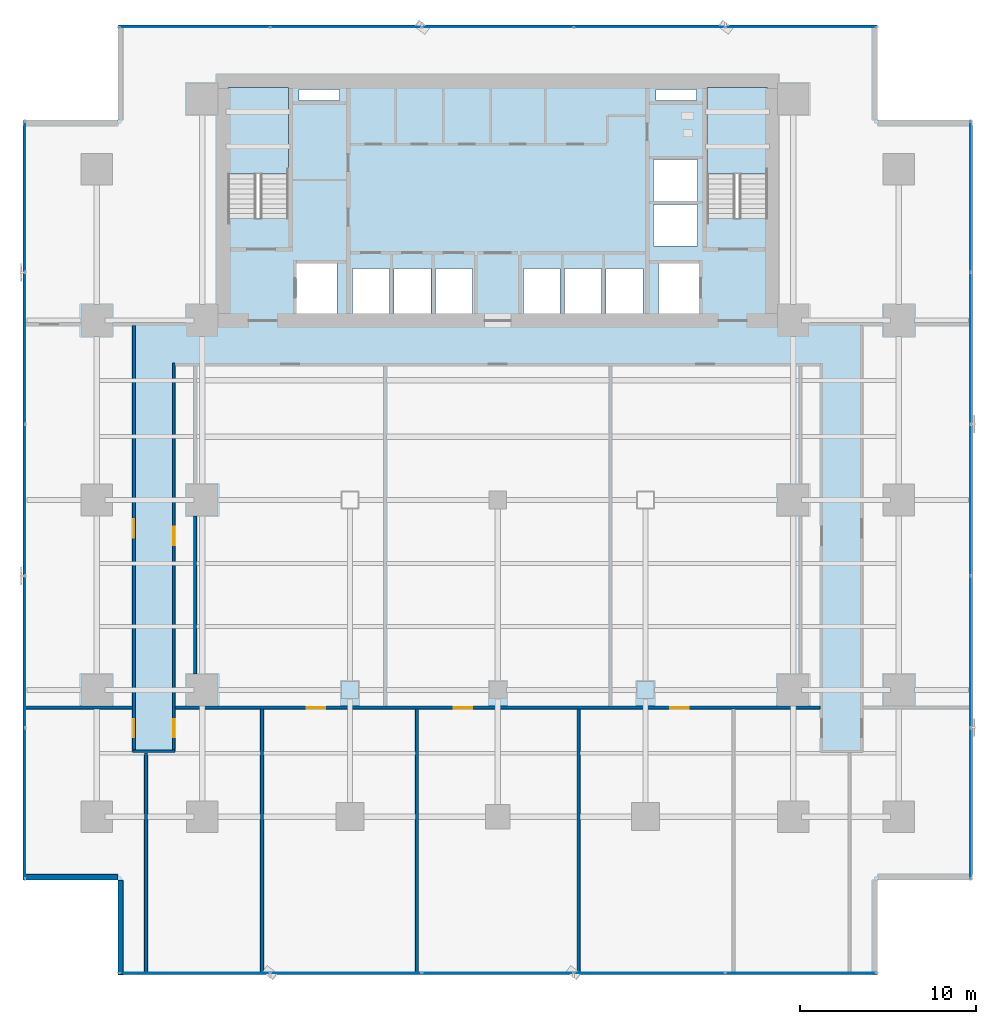
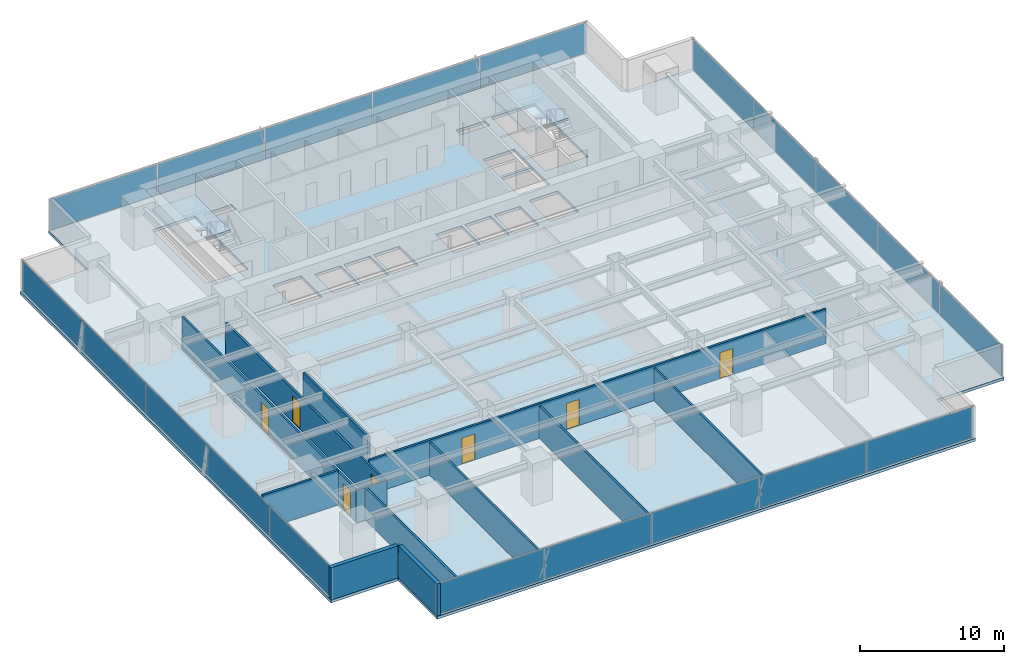
# One storey, part 24 of 33: 20 plates, 12 walls, 7 doors, 3 slabs, 7 openings, 6 elements without a shape of their own.
"""IFC4 building model written with IfcOpenShell, lengths in metres."""

from ifc_helpers import new_model, si_unit, direction, frame, frame_2d, origin, origin_2d, place, context, subcontext, project, spatial, polyline, rectangle, outline, extrude, source, transform, mapped, material, layer, layer_set, type_object, element, fill, aggregate, save


model = new_model("IFC4")

# Units and contexts
model_context = context("Model", 3, precision=1e-05, world=origin(), true_north=direction((0.0, 1.0)))
body_context = subcontext(model_context, "Body", "Model", "MODEL_VIEW")
ifc_project = project(units=[si_unit("LENGTHUNIT", "METRE"), si_unit("AREAUNIT", "SQUARE_METRE"), si_unit("VOLUMEUNIT", "CUBIC_METRE"), si_unit("PLANEANGLEUNIT", "RADIAN"), si_unit("MASSUNIT", "GRAM", prefix="KILO")], contexts=[model_context])

# Site, building, storey
site_placement = place(None, origin())
site = spatial("IfcSite", under=ifc_project, at=site_placement, CompositionType="ELEMENT")
building_placement = place(site_placement, origin())
building = spatial("IfcBuilding", under=site, at=building_placement, Name="Sumidabori Civic Tower", CompositionType="ELEMENT")
storey_placement = place(building_placement, frame((0.0, 0.0, 59.60009765625)))
storey = spatial("IfcBuildingStorey", under=building, at=storey_placement, Name="L15", CompositionType="ELEMENT", Elevation=59.60009765625)

# Stair, slab
ifc_material_1 = material(Name="Concrete C40/50", Category="concrete")
stair_type = type_object("IfcStairType", Name="ST-CORE-1600", PredefinedType="HALF_TURN_STAIR", material=ifc_material_1)
stair_1_placement = place(storey_placement, origin())
stair_1 = element("IfcStair", 1, at=stair_1_placement, inside=storey, type_object=stair_type, Name="L15 ST-1", PredefinedType="HALF_TURN_STAIR")
ifc_layer_1 = layer(ifc_material_1, 0.199951171875, Name="Concrete C40/50")
ifc_layer_set_1 = layer_set([ifc_layer_1], Name="Concrete C40/50")
slab_type_1 = type_object("IfcSlabType", Name="SL-LAND-200", PredefinedType="LANDING", material=ifc_layer_set_1)
slab_1_placement = place(storey_placement, frame((0.0, 0.0, 1.599853515625)))
slab_1 = element("IfcSlab", 2, at=slab_1_placement, type_object=slab_type_1, Name="ST-1 landing 1", PredefinedType="LANDING", context=body_context, shape_type="SweptSolid", body=[
    extrude(outline(polyline([(-11.89990234375, 18.52001953125), (-11.89990234375, 23.449951171875), (-15.340087890625, 23.449951171875), (-15.340087890625, 18.52001953125), (-11.89990234375, 18.52001953125)])), origin(), (0.0, 0.0, 1.0), 0.199951171875),
])
aggregate(stair_1, [slab_1])

stair_2_placement = place(storey_placement, origin())
stair_2 = element("IfcStair", 3, at=stair_2_placement, inside=storey, type_object=stair_type, Name="L15 ST-2", PredefinedType="HALF_TURN_STAIR")
slab_2_placement = place(storey_placement, frame((0.0, 0.0, 1.599853515625)))
slab_2 = element("IfcSlab", 4, at=slab_2_placement, type_object=slab_type_1, Name="ST-2 landing 1", PredefinedType="LANDING", context=body_context, shape_type="SweptSolid", body=[
    extrude(outline(polyline([(15.340087890625, 18.52001953125), (15.340087890625, 23.449951171875), (11.89990234375, 23.449951171875), (11.89990234375, 18.52001953125), (15.340087890625, 18.52001953125)])), origin(), (0.0, 0.0, 1.0), 0.199951171875),
])
aggregate(stair_2, [slab_2])

# Slab
ifc_layer_2 = layer(ifc_material_1, 0.239990234375, Name="Concrete C40/50")
ifc_layer_set_2 = layer_set([ifc_layer_2], Name="Concrete C40/50")
slab_type_2 = type_object("IfcSlabType", Name="SL-Z1-240", PredefinedType="FLOOR", material=ifc_layer_set_2)
slab_3_placement = place(storey_placement, frame((0.0, 0.0, -0.239990234375)))
element("IfcSlab", 5, at=slab_3_placement, inside=storey, type_object=slab_type_2, Name="Structural Slab L15", PredefinedType="FLOOR", context=body_context, shape_type="SweptSolid", body=[
    extrude(outline(polyline([(-21.60009765625, -27.0), (21.60009765625, -27.0), (21.60009765625, -21.60009765625), (27.0, -21.60009765625), (27.0, 21.60009765625), (21.60009765625, 21.60009765625), (21.60009765625, 27.0), (-21.60009765625, 27.0), (-21.60009765625, 21.60009765625), (-27.0, 21.60009765625), (-27.0, -21.60009765625), (-21.60009765625, -21.60009765625), (-21.60009765625, -27.0)]), holes=[polyline([(-11.89990234375, 16.0), (-11.89990234375, 23.449951171875), (-15.340087890625, 23.449951171875), (-15.340087890625, 16.0), (-11.89990234375, 16.0)]), polyline([(15.340087890625, 16.0), (15.340087890625, 23.449951171875), (11.89990234375, 23.449951171875), (11.89990234375, 16.0), (15.340087890625, 16.0)]), polyline([(-11.449951171875, 10.550048828125), (-9.14990234375, 10.550048828125), (-9.14990234375, 13.449951171875), (-11.449951171875, 13.449951171875), (-11.449951171875, 10.550048828125)]), polyline([(9.14990234375, 10.550048828125), (11.449951171875, 10.550048828125), (11.449951171875, 13.449951171875), (9.14990234375, 13.449951171875), (9.14990234375, 10.550048828125)]), polyline([(-8.25, 10.550048828125), (-6.14990234375, 10.550048828125), (-6.14990234375, 13.14990234375), (-8.25, 13.14990234375), (-8.25, 10.550048828125)]), polyline([(-5.89990234375, 10.550048828125), (-3.800048828125, 10.550048828125), (-3.800048828125, 13.14990234375), (-5.89990234375, 13.14990234375), (-5.89990234375, 10.550048828125)]), polyline([(-3.550048828125, 10.550048828125), (-1.449951171875, 10.550048828125), (-1.449951171875, 13.14990234375), (-3.550048828125, 13.14990234375), (-3.550048828125, 10.550048828125)]), polyline([(1.449951171875, 10.550048828125), (3.550048828125, 10.550048828125), (3.550048828125, 13.14990234375), (1.449951171875, 13.14990234375), (1.449951171875, 10.550048828125)]), polyline([(3.800048828125, 10.550048828125), (5.89990234375, 10.550048828125), (5.89990234375, 13.14990234375), (3.800048828125, 13.14990234375), (3.800048828125, 10.550048828125)]), polyline([(6.14990234375, 10.550048828125), (8.25, 10.550048828125), (8.25, 13.14990234375), (6.14990234375, 13.14990234375), (6.14990234375, 10.550048828125)]), polyline([(8.85009765625, 14.449951171875), (11.35009765625, 14.449951171875), (11.35009765625, 16.800048828125), (8.85009765625, 16.800048828125), (8.85009765625, 14.449951171875)]), polyline([(8.85009765625, 17.0), (11.35009765625, 17.0), (11.35009765625, 19.35009765625), (8.85009765625, 19.35009765625), (8.85009765625, 17.0)]), polyline([(-11.300048828125, 22.719970703125), (-9.0, 22.719970703125), (-9.0, 23.35009765625), (-11.300048828125, 23.35009765625), (-11.300048828125, 22.719970703125)]), polyline([(9.0, 22.719970703125), (11.300048828125, 22.719970703125), (11.300048828125, 23.35009765625), (9.0, 23.35009765625), (9.0, 22.719970703125)])]), origin(), (0.0, 0.0, 1.0), 0.239990234375),
])

# Curtain wall, plates
ifc_material_2 = material(Name="Anodised Bronze Aluminium AW-6063-T6", Category="aluminium")
ifc_layer_3 = layer(ifc_material_2, 0.179931640625, Name="Anodised Bronze Aluminium AW-6063-T6")
ifc_layer_set_3 = layer_set([ifc_layer_3], Name="Anodised Bronze Aluminium AW-6063-T6")
curtain_wall_type = type_object("IfcCurtainWallType", Name="CW-SYS-2", PredefinedType="NOTDEFINED", material=ifc_layer_set_3)
curtain_wall_1_placement = place(storey_placement, origin())
curtain_wall_1 = element("IfcCurtainWall", 6, at=curtain_wall_1_placement, inside=storey, type_object=curtain_wall_type, Name="Curtain Wall CW:L15:R01", PredefinedType="NOTDEFINED")
ifc_material_3 = material(Name="Low-E Solar-Control Vision Glazing", Category="glass")
ifc_layer_4 = layer(ifc_material_3, 0.028076171875, Name="Low-E Solar-Control Vision Glazing")
ifc_layer_set_4 = layer_set([ifc_layer_4], Name="Low-E Solar-Control Vision Glazing")
plate_type = type_object("IfcPlateType", Name="CW-PNL-28", PredefinedType="CURTAIN_PANEL", material=ifc_layer_set_4)
shared_shape_1 = source(origin(), body_context, "Body", "SweptSolid", [
    extrude(rectangle(XDim=8.52294921875, YDim=0.028076171875, at=origin_2d()), origin(), (0.0, 0.0, 1.0), 2.610107421875),
])
plate_1_placement = place(storey_placement, frame((-17.238525390625, -26.8798828125, 0.06494140625), z_axis=(0.0, 0.0, 1.0), x_axis=(1.0, 0.0, 0.0)))
plate_1 = element("IfcPlate", 7, at=plate_1_placement, type_object=plate_type, Name="CW-2 panel 1.1", PredefinedType="CURTAIN_PANEL", context=body_context, shape_type="MappedRepresentation", body=[
    mapped(shared_shape_1, transform((0.0, 0.0, 0.0), x_axis=(1.0, 0.0, 0.0), y_axis=(0.0, 1.0, 0.0), z_axis=(0.0, 0.0, 1.0), scale=1.0)),
])
plate_2_placement = place(storey_placement, frame((17.238525390625, -26.8798828125, 0.06494140625), z_axis=(0.0, 0.0, 1.0), x_axis=(1.0, 0.0, 0.0)))
plate_2 = element("IfcPlate", 8, at=plate_2_placement, type_object=plate_type, Name="CW-2 panel 5.1", PredefinedType="CURTAIN_PANEL", context=body_context, shape_type="MappedRepresentation", body=[
    mapped(shared_shape_1, transform((0.0, 0.0, 0.0), x_axis=(1.0, 0.0, 0.0), y_axis=(0.0, 1.0, 0.0), z_axis=(0.0, 0.0, 1.0), scale=1.0)),
])

curtain_wall_2_placement = place(storey_placement, origin())
curtain_wall_2 = element("IfcCurtainWall", 9, at=curtain_wall_2_placement, inside=storey, type_object=curtain_wall_type, Name="Curtain Wall CW:L15:R04", PredefinedType="NOTDEFINED")
plate_3_placement = place(storey_placement, frame((26.8798828125, -17.238525390625, 0.06494140625), z_axis=(0.0, 0.0, 1.0), x_axis=(0.0, 1.0, 0.0)))
plate_3 = element("IfcPlate", 10, at=plate_3_placement, type_object=plate_type, Name="CW-2 panel 1.1", PredefinedType="CURTAIN_PANEL", context=body_context, shape_type="MappedRepresentation", body=[
    mapped(shared_shape_1, transform((0.0, 0.0, 0.0), x_axis=(1.0, 0.0, 0.0), y_axis=(0.0, 1.0, 0.0), z_axis=(0.0, 0.0, 1.0), scale=1.0)),
])
plate_4_placement = place(storey_placement, frame((26.8798828125, 17.238525390625, 0.06494140625), z_axis=(0.0, 0.0, 1.0), x_axis=(0.0, 1.0, 0.0)))
plate_4 = element("IfcPlate", 11, at=plate_4_placement, type_object=plate_type, Name="CW-2 panel 5.1", PredefinedType="CURTAIN_PANEL", context=body_context, shape_type="MappedRepresentation", body=[
    mapped(shared_shape_1, transform((0.0, 0.0, 0.0), x_axis=(1.0, 0.0, 0.0), y_axis=(0.0, 1.0, 0.0), z_axis=(0.0, 0.0, 1.0), scale=1.0)),
])

curtain_wall_3_placement = place(storey_placement, origin())
curtain_wall_3 = element("IfcCurtainWall", 12, at=curtain_wall_3_placement, inside=storey, type_object=curtain_wall_type, Name="Curtain Wall CW:L15:R07", PredefinedType="NOTDEFINED")
plate_5_placement = place(storey_placement, frame((17.238525390625, 26.8798828125, 0.06494140625), z_axis=(0.0, 0.0, 1.0), x_axis=(-1.0, 0.0, 0.0)))
plate_5 = element("IfcPlate", 13, at=plate_5_placement, type_object=plate_type, Name="CW-2 panel 1.1", PredefinedType="CURTAIN_PANEL", context=body_context, shape_type="MappedRepresentation", body=[
    mapped(shared_shape_1, transform((0.0, 0.0, 0.0), x_axis=(1.0, 0.0, 0.0), y_axis=(0.0, 1.0, 0.0), z_axis=(0.0, 0.0, 1.0), scale=1.0)),
])
plate_6_placement = place(storey_placement, frame((-17.238525390625, 26.8798828125, 0.06494140625), z_axis=(0.0, 0.0, 1.0), x_axis=(-1.0, 0.0, 0.0)))
plate_6 = element("IfcPlate", 14, at=plate_6_placement, type_object=plate_type, Name="CW-2 panel 5.1", PredefinedType="CURTAIN_PANEL", context=body_context, shape_type="MappedRepresentation", body=[
    mapped(shared_shape_1, transform((0.0, 0.0, 0.0), x_axis=(1.0, 0.0, 0.0), y_axis=(0.0, 1.0, 0.0), z_axis=(0.0, 0.0, 1.0), scale=1.0)),
])

curtain_wall_4_placement = place(storey_placement, origin())
curtain_wall_4 = element("IfcCurtainWall", 15, at=curtain_wall_4_placement, inside=storey, type_object=curtain_wall_type, Name="Curtain Wall CW:L15:R10", PredefinedType="NOTDEFINED")
plate_7_placement = place(storey_placement, frame((-26.8798828125, 17.238525390625, 0.06494140625), z_axis=(0.0, 0.0, 1.0), x_axis=(0.0, -1.0, 0.0)))
plate_7 = element("IfcPlate", 16, at=plate_7_placement, type_object=plate_type, Name="CW-2 panel 1.1", PredefinedType="CURTAIN_PANEL", context=body_context, shape_type="MappedRepresentation", body=[
    mapped(shared_shape_1, transform((0.0, 0.0, 0.0), x_axis=(1.0, 0.0, 0.0), y_axis=(0.0, 1.0, 0.0), z_axis=(0.0, 0.0, 1.0), scale=1.0)),
])
plate_8_placement = place(storey_placement, frame((-26.8798828125, -17.238525390625, 0.06494140625), z_axis=(0.0, 0.0, 1.0), x_axis=(0.0, -1.0, 0.0)))
plate_8 = element("IfcPlate", 17, at=plate_8_placement, type_object=plate_type, Name="CW-2 panel 5.1", PredefinedType="CURTAIN_PANEL", context=body_context, shape_type="MappedRepresentation", body=[
    mapped(shared_shape_1, transform((0.0, 0.0, 0.0), x_axis=(1.0, 0.0, 0.0), y_axis=(0.0, 1.0, 0.0), z_axis=(0.0, 0.0, 1.0), scale=1.0)),
])

# Plate
shared_shape_2 = source(origin(), body_context, "Body", "SweptSolid", [
    extrude(rectangle(XDim=8.55810546875, YDim=0.028076171875, at=origin_2d()), origin(), (0.0, 0.0, 1.0), 2.610107421875),
])
plate_9_placement = place(storey_placement, frame((-8.6279296875, -26.8798828125, 0.06494140625), z_axis=(0.0, 0.0, 1.0), x_axis=(1.0, 0.0, 0.0)))
plate_9 = element("IfcPlate", 18, at=plate_9_placement, type_object=plate_type, Name="CW-2 panel 2.1", PredefinedType="CURTAIN_PANEL", context=body_context, shape_type="MappedRepresentation", body=[
    mapped(shared_shape_2, transform((0.0, 0.0, 0.0), x_axis=(1.0, 0.0, 0.0), y_axis=(0.0, 1.0, 0.0), z_axis=(0.0, 0.0, 1.0), scale=1.0)),
])

plate_10_placement = place(storey_placement, frame((0.0, -26.8798828125, 0.06494140625), z_axis=(0.0, 0.0, 1.0), x_axis=(1.0, 0.0, 0.0)))
plate_10 = element("IfcPlate", 19, at=plate_10_placement, type_object=plate_type, Name="CW-2 panel 3.1", PredefinedType="CURTAIN_PANEL", context=body_context, shape_type="MappedRepresentation", body=[
    mapped(shared_shape_2, transform((0.0, 0.0, 0.0), x_axis=(1.0, 0.0, 0.0), y_axis=(0.0, 1.0, 0.0), z_axis=(0.0, 0.0, 1.0), scale=1.0)),
])

plate_11_placement = place(storey_placement, frame((8.6279296875, -26.8798828125, 0.06494140625), z_axis=(0.0, 0.0, 1.0), x_axis=(1.0, 0.0, 0.0)))
plate_11 = element("IfcPlate", 20, at=plate_11_placement, type_object=plate_type, Name="CW-2 panel 4.1", PredefinedType="CURTAIN_PANEL", context=body_context, shape_type="MappedRepresentation", body=[
    mapped(shared_shape_2, transform((0.0, 0.0, 0.0), x_axis=(1.0, 0.0, 0.0), y_axis=(0.0, 1.0, 0.0), z_axis=(0.0, 0.0, 1.0), scale=1.0)),
])

aggregate(curtain_wall_1, [plate_1, plate_9, plate_10, plate_11, plate_2])

plate_12_placement = place(storey_placement, frame((26.8798828125, -8.6279296875, 0.06494140625), z_axis=(0.0, 0.0, 1.0), x_axis=(0.0, 1.0, 0.0)))
plate_12 = element("IfcPlate", 21, at=plate_12_placement, type_object=plate_type, Name="CW-2 panel 2.1", PredefinedType="CURTAIN_PANEL", context=body_context, shape_type="MappedRepresentation", body=[
    mapped(shared_shape_2, transform((0.0, 0.0, 0.0), x_axis=(1.0, 0.0, 0.0), y_axis=(0.0, 1.0, 0.0), z_axis=(0.0, 0.0, 1.0), scale=1.0)),
])

plate_13_placement = place(storey_placement, frame((26.8798828125, 0.0, 0.06494140625), z_axis=(0.0, 0.0, 1.0), x_axis=(0.0, 1.0, 0.0)))
plate_13 = element("IfcPlate", 22, at=plate_13_placement, type_object=plate_type, Name="CW-2 panel 3.1", PredefinedType="CURTAIN_PANEL", context=body_context, shape_type="MappedRepresentation", body=[
    mapped(shared_shape_2, transform((0.0, 0.0, 0.0), x_axis=(1.0, 0.0, 0.0), y_axis=(0.0, 1.0, 0.0), z_axis=(0.0, 0.0, 1.0), scale=1.0)),
])

plate_14_placement = place(storey_placement, frame((26.8798828125, 8.6279296875, 0.06494140625), z_axis=(0.0, 0.0, 1.0), x_axis=(0.0, 1.0, 0.0)))
plate_14 = element("IfcPlate", 23, at=plate_14_placement, type_object=plate_type, Name="CW-2 panel 4.1", PredefinedType="CURTAIN_PANEL", context=body_context, shape_type="MappedRepresentation", body=[
    mapped(shared_shape_2, transform((0.0, 0.0, 0.0), x_axis=(1.0, 0.0, 0.0), y_axis=(0.0, 1.0, 0.0), z_axis=(0.0, 0.0, 1.0), scale=1.0)),
])

aggregate(curtain_wall_2, [plate_3, plate_12, plate_13, plate_14, plate_4])

plate_15_placement = place(storey_placement, frame((8.6279296875, 26.8798828125, 0.06494140625), z_axis=(0.0, 0.0, 1.0), x_axis=(-1.0, 0.0, 0.0)))
plate_15 = element("IfcPlate", 24, at=plate_15_placement, type_object=plate_type, Name="CW-2 panel 2.1", PredefinedType="CURTAIN_PANEL", context=body_context, shape_type="MappedRepresentation", body=[
    mapped(shared_shape_2, transform((0.0, 0.0, 0.0), x_axis=(1.0, 0.0, 0.0), y_axis=(0.0, 1.0, 0.0), z_axis=(0.0, 0.0, 1.0), scale=1.0)),
])

plate_16_placement = place(storey_placement, frame((0.0, 26.8798828125, 0.06494140625), z_axis=(0.0, 0.0, 1.0), x_axis=(-1.0, 0.0, 0.0)))
plate_16 = element("IfcPlate", 25, at=plate_16_placement, type_object=plate_type, Name="CW-2 panel 3.1", PredefinedType="CURTAIN_PANEL", context=body_context, shape_type="MappedRepresentation", body=[
    mapped(shared_shape_2, transform((0.0, 0.0, 0.0), x_axis=(1.0, 0.0, 0.0), y_axis=(0.0, 1.0, 0.0), z_axis=(0.0, 0.0, 1.0), scale=1.0)),
])

plate_17_placement = place(storey_placement, frame((-8.6279296875, 26.8798828125, 0.06494140625), z_axis=(0.0, 0.0, 1.0), x_axis=(-1.0, 0.0, 0.0)))
plate_17 = element("IfcPlate", 26, at=plate_17_placement, type_object=plate_type, Name="CW-2 panel 4.1", PredefinedType="CURTAIN_PANEL", context=body_context, shape_type="MappedRepresentation", body=[
    mapped(shared_shape_2, transform((0.0, 0.0, 0.0), x_axis=(1.0, 0.0, 0.0), y_axis=(0.0, 1.0, 0.0), z_axis=(0.0, 0.0, 1.0), scale=1.0)),
])

aggregate(curtain_wall_3, [plate_5, plate_15, plate_16, plate_17, plate_6])

plate_18_placement = place(storey_placement, frame((-26.8798828125, 8.6279296875, 0.06494140625), z_axis=(0.0, 0.0, 1.0), x_axis=(0.0, -1.0, 0.0)))
plate_18 = element("IfcPlate", 27, at=plate_18_placement, type_object=plate_type, Name="CW-2 panel 2.1", PredefinedType="CURTAIN_PANEL", context=body_context, shape_type="MappedRepresentation", body=[
    mapped(shared_shape_2, transform((0.0, 0.0, 0.0), x_axis=(1.0, 0.0, 0.0), y_axis=(0.0, 1.0, 0.0), z_axis=(0.0, 0.0, 1.0), scale=1.0)),
])

plate_19_placement = place(storey_placement, frame((-26.8798828125, 0.0, 0.06494140625), z_axis=(0.0, 0.0, 1.0), x_axis=(0.0, -1.0, 0.0)))
plate_19 = element("IfcPlate", 28, at=plate_19_placement, type_object=plate_type, Name="CW-2 panel 3.1", PredefinedType="CURTAIN_PANEL", context=body_context, shape_type="MappedRepresentation", body=[
    mapped(shared_shape_2, transform((0.0, 0.0, 0.0), x_axis=(1.0, 0.0, 0.0), y_axis=(0.0, 1.0, 0.0), z_axis=(0.0, 0.0, 1.0), scale=1.0)),
])

plate_20_placement = place(storey_placement, frame((-26.8798828125, -8.6279296875, 0.06494140625), z_axis=(0.0, 0.0, 1.0), x_axis=(0.0, -1.0, 0.0)))
plate_20 = element("IfcPlate", 29, at=plate_20_placement, type_object=plate_type, Name="CW-2 panel 4.1", PredefinedType="CURTAIN_PANEL", context=body_context, shape_type="MappedRepresentation", body=[
    mapped(shared_shape_2, transform((0.0, 0.0, 0.0), x_axis=(1.0, 0.0, 0.0), y_axis=(0.0, 1.0, 0.0), z_axis=(0.0, 0.0, 1.0), scale=1.0)),
])

aggregate(curtain_wall_4, [plate_7, plate_18, plate_19, plate_20, plate_8])

# Walls
ifc_material_4 = material(Name="Precast concrete C40/50", Category="concrete")
ifc_layer_5 = layer(ifc_material_4, 0.300048828125, Name="Precast concrete C40/50")
ifc_layer_set_5 = layer_set([ifc_layer_5], Name="Precast concrete C40/50")
wall_type_1 = type_object("IfcWallType", Name="WL-EXT-POD300", PredefinedType="STANDARD", material=ifc_layer_set_5)
shared_shape_3 = source(origin(), body_context, "Body", "SweptSolid", [
    extrude(rectangle(XDim=5.35986328125, YDim=0.300048828125, at=frame_2d((2.679931640625, 0.0))), origin(), (0.0, 0.0, 1.0), 2.739990234375),
])
for number, where, z_axis, x_axis, name in (
    (30, (-26.97998046875, -21.449951171875, 0.0), (0.0, 0.0, 1.0), (1.0, 0.0, 0.0), "Notched Corner Spandrel Band L15-11"),
    (31, (-21.449951171875, -21.6201171875, 0.0), (0.0, 0.0, 1.0), (0.0, -1.0, 0.0), "Notched Corner Spandrel Band L15-12"),
):
    element("IfcWall", number, at=place(storey_placement, frame(where, z_axis=z_axis, x_axis=x_axis)), inside=storey, type_object=wall_type_1, Name=name, PredefinedType="STANDARD", context=body_context, shape_type="MappedRepresentation", body=[
        mapped(shared_shape_3, transform((0.0, 0.0, 0.0), x_axis=(1.0, 0.0, 0.0), y_axis=(0.0, 1.0, 0.0), z_axis=(0.0, 0.0, 1.0), scale=1.0)),
    ])
ifc_material_5 = material(Name="Gypsum Plasterboard Acoustic Partition")
ifc_layer_6 = layer(ifc_material_5, 0.1650390625, Name="Gypsum Plasterboard Acoustic Partition")
ifc_layer_set_6 = layer_set([ifc_layer_6], Name="Gypsum Plasterboard Acoustic Partition")
wall_type_2 = type_object("IfcWallType", Name="WL-PART-165", PredefinedType="PARTITIONING", material=ifc_layer_set_6)
shared_shape_4 = source(origin(), body_context, "Body", "SweptSolid", [
    extrude(rectangle(XDim=2.429931640625, YDim=0.1650390625, at=frame_2d((1.21484375, 0.0))), origin(), (0.0, 0.0, 1.0), 2.744873046875),
])
wall_1_placement = place(storey_placement, frame((-20.764892578125, -14.282470703125, 0.0), z_axis=(0.0, 0.0, 1.0), x_axis=(1.0, 0.0, 0.0)))
element("IfcWall", 32, at=wall_1_placement, inside=storey, type_object=wall_type_2, Name="Interior Partition WL:L15:CORR-CAP-W", PredefinedType="PARTITIONING", context=body_context, shape_type="MappedRepresentation", body=[
    mapped(shared_shape_4, transform((0.0, 0.0, 0.0), x_axis=(1.0, 0.0, 0.0), y_axis=(0.0, 1.0, 0.0), z_axis=(0.0, 0.0, 1.0), scale=1.0)),
])

# Wall, openings, doors
shared_shape_5 = source(origin(), body_context, "Body", "SweptSolid", [
    extrude(rectangle(XDim=24.107666015625, YDim=0.1650390625, at=frame_2d((12.0537109375, 0.0))), origin(), (0.0, 0.0, 1.0), 2.744873046875),
])
wall_2_placement = place(storey_placement, frame((-20.6826171875, -14.195068359375, 0.0), z_axis=(0.0, 0.0, 1.0), x_axis=(0.0, 1.0, 0.0)))
wall_2 = element("IfcWall", 33, at=wall_2_placement, inside=storey, type_object=wall_type_2, Name="Interior Partition WL:L15:CORR-VW-OUT", PredefinedType="PARTITIONING", context=body_context, shape_type="MappedRepresentation", body=[
    mapped(shared_shape_5, transform((0.0, 0.0, 0.0), x_axis=(1.0, 0.0, 0.0), y_axis=(0.0, 1.0, 0.0), z_axis=(0.0, 0.0, 1.0), scale=1.0)),
])
opening_1_placement = place(wall_2_placement, frame((12.052490234375, 0.0, 0.0)))
opening_1 = element("IfcOpeningElement", 34, at=opening_1_placement, cuts=wall_2, Name="Opening DR-4", PredefinedType="OPENING", context=body_context, shape_type="SweptSolid", body=[
    extrude(rectangle(XDim=1.0400390625, YDim=2.199951171875, at=frame_2d((0.52001953125, 1.10009765625))), frame((0.0, 0.094482421875, 0.0), z_axis=(0.0, -1.0, 0.0), x_axis=(1.0, 0.0, 0.0)), (0.0, 0.0, 1.0), 0.18896484375),
])
opening_2_placement = place(wall_2_placement, frame((0.6962890625, 0.0, 0.0)))
opening_2 = element("IfcOpeningElement", 35, at=opening_2_placement, cuts=wall_2, Name="Opening DR-4", PredefinedType="OPENING", context=body_context, shape_type="SweptSolid", body=[
    extrude(rectangle(XDim=1.0400390625, YDim=2.199951171875, at=frame_2d((0.52001953125, 1.10009765625))), frame((0.0, 0.094482421875, 0.0), z_axis=(0.0, -1.0, 0.0), x_axis=(1.0, 0.0, 0.0)), (0.0, 0.0, 1.0), 0.18896484375),
])
ifc_material_6 = material(Name="Japanese Hinoki Timber", Category="wood")
door_type = type_object("IfcDoorType", Name="DR-INT-1040", OperationType="NOTDEFINED", PredefinedType="DOOR", material=ifc_material_6)
shared_shape_6 = source(origin(), body_context, "Body", "SweptSolid", [
    extrude(rectangle(XDim=1.0400390625, YDim=2.199951171875, at=frame_2d((0.52001953125, 1.10009765625))), frame((0.0, 0.02490234375, 0.0), z_axis=(0.0, -1.0, 0.0), x_axis=(1.0, 0.0, 0.0)), (0.0, 0.0, 1.0), 0.050048828125),
])
door_1_placement = place(opening_1_placement, origin())
door_1 = element("IfcDoor", 36, at=door_1_placement, inside=storey, type_object=door_type, Name="Door DR:L15:D01", OperationType="SINGLE_SWING_LEFT", OverallHeight=2.199951171875, OverallWidth=1.0400390625, PredefinedType="DOOR", context=body_context, shape_type="MappedRepresentation", body=[
    mapped(shared_shape_6, transform((0.0, 0.0, 0.0), x_axis=(1.0, 0.0, 0.0), y_axis=(0.0, 1.0, 0.0), z_axis=(0.0, 0.0, 1.0), scale=1.0)),
])
fill(opening_1, door_1)
door_2_placement = place(opening_2_placement, origin())
door_2 = element("IfcDoor", 37, at=door_2_placement, inside=storey, type_object=door_type, Name="Door DR:L15:D08", OperationType="SINGLE_SWING_RIGHT", OverallHeight=2.199951171875, OverallWidth=1.0400390625, PredefinedType="DOOR", context=body_context, shape_type="MappedRepresentation", body=[
    mapped(shared_shape_6, transform((0.0, 0.0, 0.0), x_axis=(1.0, 0.0, 0.0), y_axis=(0.0, 1.0, 0.0), z_axis=(0.0, 0.0, 1.0), scale=1.0)),
])
fill(opening_2, door_2)

shared_shape_7 = source(origin(), body_context, "Body", "SweptSolid", [
    extrude(rectangle(XDim=21.9951171875, YDim=0.1650390625, at=frame_2d((10.99755859375, 0.0))), origin(), (0.0, 0.0, 1.0), 2.744873046875),
])
wall_3_placement = place(storey_placement, frame((-18.41748046875, -14.195068359375, 0.0), z_axis=(0.0, 0.0, 1.0), x_axis=(0.0, 1.0, 0.0)))
wall_3 = element("IfcWall", 38, at=wall_3_placement, inside=storey, type_object=wall_type_2, Name="Interior Partition WL:L15:CORR-VW-IN", PredefinedType="PARTITIONING", context=body_context, shape_type="MappedRepresentation", body=[
    mapped(shared_shape_7, transform((0.0, 0.0, 0.0), x_axis=(1.0, 0.0, 0.0), y_axis=(0.0, 1.0, 0.0), z_axis=(0.0, 0.0, 1.0), scale=1.0)),
])
opening_3_placement = place(wall_3_placement, frame((11.6337890625, 0.0, 0.0)))
opening_3 = element("IfcOpeningElement", 39, at=opening_3_placement, cuts=wall_3, Name="Opening DR-4", PredefinedType="OPENING", context=body_context, shape_type="SweptSolid", body=[
    extrude(rectangle(XDim=1.0400390625, YDim=2.199951171875, at=frame_2d((0.52001953125, 1.10009765625))), frame((0.0, 0.094482421875, 0.0), z_axis=(0.0, -1.0, 0.0), x_axis=(1.0, 0.0, 0.0)), (0.0, 0.0, 1.0), 0.18896484375),
])
opening_4_placement = place(wall_3_placement, frame((0.6962890625, 0.0, 0.0)))
opening_4 = element("IfcOpeningElement", 40, at=opening_4_placement, cuts=wall_3, Name="Opening DR-4", PredefinedType="OPENING", context=body_context, shape_type="SweptSolid", body=[
    extrude(rectangle(XDim=1.0400390625, YDim=2.199951171875, at=frame_2d((0.52001953125, 1.10009765625))), frame((0.0, 0.094482421875, 0.0), z_axis=(0.0, -1.0, 0.0), x_axis=(1.0, 0.0, 0.0)), (0.0, 0.0, 1.0), 0.18896484375),
])
door_3_placement = place(opening_3_placement, origin())
door_3 = element("IfcDoor", 41, at=door_3_placement, inside=storey, type_object=door_type, Name="Door DR:L15:D03", OperationType="SINGLE_SWING_LEFT", OverallHeight=2.199951171875, OverallWidth=1.0400390625, PredefinedType="DOOR", context=body_context, shape_type="MappedRepresentation", body=[
    mapped(shared_shape_6, transform((0.0, 0.0, 0.0), x_axis=(1.0, 0.0, 0.0), y_axis=(0.0, 1.0, 0.0), z_axis=(0.0, 0.0, 1.0), scale=1.0)),
])
fill(opening_3, door_3)
door_4_placement = place(opening_4_placement, origin())
door_4 = element("IfcDoor", 42, at=door_4_placement, inside=storey, type_object=door_type, Name="Door DR:L15:D10", OperationType="SINGLE_SWING_RIGHT", OverallHeight=2.199951171875, OverallWidth=1.0400390625, PredefinedType="DOOR", context=body_context, shape_type="MappedRepresentation", body=[
    mapped(shared_shape_6, transform((0.0, 0.0, 0.0), x_axis=(1.0, 0.0, 0.0), y_axis=(0.0, 1.0, 0.0), z_axis=(0.0, 0.0, 1.0), scale=1.0)),
])
fill(opening_4, door_4)

# Wall
shared_shape_8 = source(origin(), body_context, "Body", "SweptSolid", [
    extrude(rectangle(XDim=6.080078125, YDim=0.1650390625, at=frame_2d((3.0400390625, 0.0))), origin(), (0.0, 0.0, 1.0), 2.94482421875),
])
wall_4_placement = place(storey_placement, frame((-26.85009765625, -11.800048828125, 0.0), z_axis=(0.0, 0.0, 1.0), x_axis=(1.0, 0.0, 0.0)))
element("IfcWall", 43, at=wall_4_placement, inside=storey, type_object=wall_type_2, Name="Interior Partition WL:L15:BAND-Y-1", PredefinedType="PARTITIONING", context=body_context, shape_type="MappedRepresentation", body=[
    mapped(shared_shape_8, transform((0.0, 0.0, 0.0), x_axis=(1.0, 0.0, 0.0), y_axis=(0.0, 1.0, 0.0), z_axis=(0.0, 0.0, 1.0), scale=1.0)),
])

# Wall, openings, doors
shared_shape_9 = source(origin(), body_context, "Body", "SweptSolid", [
    extrude(rectangle(XDim=36.66015625, YDim=0.1650390625, at=frame_2d((18.330078125, 0.0))), origin(), (0.0, 0.0, 1.0), 2.94482421875),
])
wall_5_placement = place(storey_placement, frame((-18.330078125, -11.800048828125, 0.0), z_axis=(0.0, 0.0, 1.0), x_axis=(1.0, 0.0, 0.0)))
wall_5 = element("IfcWall", 44, at=wall_5_placement, inside=storey, type_object=wall_type_2, Name="Interior Partition WL:L15:BAND-Y-2", PredefinedType="PARTITIONING", context=body_context, shape_type="MappedRepresentation", body=[
    mapped(shared_shape_9, transform((0.0, 0.0, 0.0), x_axis=(1.0, 0.0, 0.0), y_axis=(0.0, 1.0, 0.0), z_axis=(0.0, 0.0, 1.0), scale=1.0)),
])
opening_5_placement = place(wall_5_placement, frame((7.469970703125, 0.0, 0.0)))
opening_5 = element("IfcOpeningElement", 45, at=opening_5_placement, cuts=wall_5, Name="Opening DR-4", PredefinedType="OPENING", context=body_context, shape_type="SweptSolid", body=[
    extrude(rectangle(XDim=1.0400390625, YDim=2.199951171875, at=frame_2d((0.52001953125, 1.10009765625))), frame((0.0, 0.094482421875, 0.0), z_axis=(0.0, -1.0, 0.0), x_axis=(1.0, 0.0, 0.0)), (0.0, 0.0, 1.0), 0.18896484375),
])
opening_6_placement = place(wall_5_placement, frame((15.830078125, 0.0, 0.0)))
opening_6 = element("IfcOpeningElement", 46, at=opening_6_placement, cuts=wall_5, Name="Opening DR-4", PredefinedType="OPENING", context=body_context, shape_type="SweptSolid", body=[
    extrude(rectangle(XDim=1.0400390625, YDim=2.199951171875, at=frame_2d((0.52001953125, 1.10009765625))), frame((0.0, 0.094482421875, 0.0), z_axis=(0.0, -1.0, 0.0), x_axis=(1.0, 0.0, 0.0)), (0.0, 0.0, 1.0), 0.18896484375),
])
opening_7_placement = place(wall_5_placement, frame((28.14990234375, 0.0, 0.0)))
opening_7 = element("IfcOpeningElement", 47, at=opening_7_placement, cuts=wall_5, Name="Opening DR-4", PredefinedType="OPENING", context=body_context, shape_type="SweptSolid", body=[
    extrude(rectangle(XDim=1.0400390625, YDim=2.199951171875, at=frame_2d((0.52001953125, 1.10009765625))), frame((0.0, 0.094482421875, 0.0), z_axis=(0.0, -1.0, 0.0), x_axis=(1.0, 0.0, 0.0)), (0.0, 0.0, 1.0), 0.18896484375),
])
door_5_placement = place(opening_5_placement, origin())
door_5 = element("IfcDoor", 48, at=door_5_placement, inside=storey, type_object=door_type, Name="Door DR:L15:D13", OperationType="SINGLE_SWING_LEFT", OverallHeight=2.199951171875, OverallWidth=1.0400390625, PredefinedType="DOOR", context=body_context, shape_type="MappedRepresentation", body=[
    mapped(shared_shape_6, transform((0.0, 0.0, 0.0), x_axis=(1.0, 0.0, 0.0), y_axis=(0.0, 1.0, 0.0), z_axis=(0.0, 0.0, 1.0), scale=1.0)),
])
fill(opening_5, door_5)
door_6_placement = place(opening_6_placement, origin())
door_6 = element("IfcDoor", 49, at=door_6_placement, inside=storey, type_object=door_type, Name="Door DR:L15:D14", OperationType="SINGLE_SWING_RIGHT", OverallHeight=2.199951171875, OverallWidth=1.0400390625, PredefinedType="DOOR", context=body_context, shape_type="MappedRepresentation", body=[
    mapped(shared_shape_6, transform((0.0, 0.0, 0.0), x_axis=(1.0, 0.0, 0.0), y_axis=(0.0, 1.0, 0.0), z_axis=(0.0, 0.0, 1.0), scale=1.0)),
])
fill(opening_6, door_6)
door_7_placement = place(opening_7_placement, origin())
door_7 = element("IfcDoor", 50, at=door_7_placement, inside=storey, type_object=door_type, Name="Door DR:L15:D15", OperationType="SINGLE_SWING_LEFT", OverallHeight=2.199951171875, OverallWidth=1.0400390625, PredefinedType="DOOR", context=body_context, shape_type="MappedRepresentation", body=[
    mapped(shared_shape_6, transform((0.0, 0.0, 0.0), x_axis=(1.0, 0.0, 0.0), y_axis=(0.0, 1.0, 0.0), z_axis=(0.0, 0.0, 1.0), scale=1.0)),
])
fill(opening_7, door_7)

# Walls
shared_shape_10 = source(origin(), body_context, "Body", "SweptSolid", [
    extrude(rectangle(XDim=8.97998046875, YDim=0.1650390625, at=frame_2d((4.489990234375, 0.0))), origin(), (0.0, 0.0, 1.0), 3.35986328125),
])
wall_6_placement = place(storey_placement, frame((-17.199951171875, -9.889892578125, 0.0), z_axis=(0.0, 0.0, 1.0), x_axis=(0.0, 1.0, 0.0)))
element("IfcWall", 51, at=wall_6_placement, inside=storey, type_object=wall_type_2, Name="Interior Partition WL:L15:VX-N1-1", PredefinedType="PARTITIONING", context=body_context, shape_type="MappedRepresentation", body=[
    mapped(shared_shape_10, transform((0.0, 0.0, 0.0), x_axis=(1.0, 0.0, 0.0), y_axis=(0.0, 1.0, 0.0), z_axis=(0.0, 0.0, 1.0), scale=1.0)),
])
shared_shape_11 = source(origin(), body_context, "Body", "SweptSolid", [
    extrude(rectangle(XDim=12.47998046875, YDim=0.1650390625, at=frame_2d((6.239990234375, 0.0))), origin(), (0.0, 0.0, 1.0), 2.744873046875),
])
wall_7_placement = place(storey_placement, frame((-20.0, -26.85009765625, 0.0), z_axis=(0.0, 0.0, 1.0), x_axis=(0.0, 1.0, 0.0)))
element("IfcWall", 52, at=wall_7_placement, inside=storey, type_object=wall_type_2, Name="Interior Partition WL:L15:VX-S1", PredefinedType="PARTITIONING", context=body_context, shape_type="MappedRepresentation", body=[
    mapped(shared_shape_11, transform((0.0, 0.0, 0.0), x_axis=(1.0, 0.0, 0.0), y_axis=(0.0, 1.0, 0.0), z_axis=(0.0, 0.0, 1.0), scale=1.0)),
])
shared_shape_12 = source(origin(), body_context, "Body", "SweptSolid", [
    extrude(rectangle(XDim=14.962646484375, YDim=0.1650390625, at=frame_2d((7.4814453125, 0.0))), origin(), (0.0, 0.0, 1.0), 2.744873046875),
])
for number, where, z_axis, x_axis, name in (
    (53, (-13.39990234375, -26.85009765625, 0.0), (0.0, 0.0, 1.0), (0.0, 1.0, 0.0), "Interior Partition WL:L15:VX-S2"),
    (54, (-4.60009765625, -26.85009765625, 0.0), (0.0, 0.0, 1.0), (0.0, 1.0, 0.0), "Interior Partition WL:L15:VX-S3"),
    (55, (4.60009765625, -26.85009765625, 0.0), (0.0, 0.0, 1.0), (0.0, 1.0, 0.0), "Interior Partition WL:L15:VX-S4"),
):
    element("IfcWall", number, at=place(storey_placement, frame(where, z_axis=z_axis, x_axis=x_axis)), inside=storey, type_object=wall_type_2, Name=name, PredefinedType="PARTITIONING", context=body_context, shape_type="MappedRepresentation", body=[
        mapped(shared_shape_12, transform((0.0, 0.0, 0.0), x_axis=(1.0, 0.0, 0.0), y_axis=(0.0, 1.0, 0.0), z_axis=(0.0, 0.0, 1.0), scale=1.0)),
    ])

save(model, "model.ifc")
